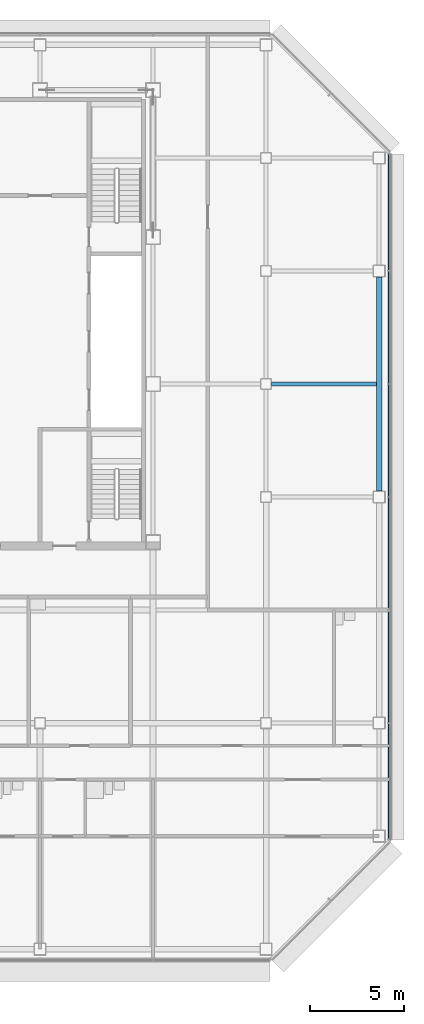
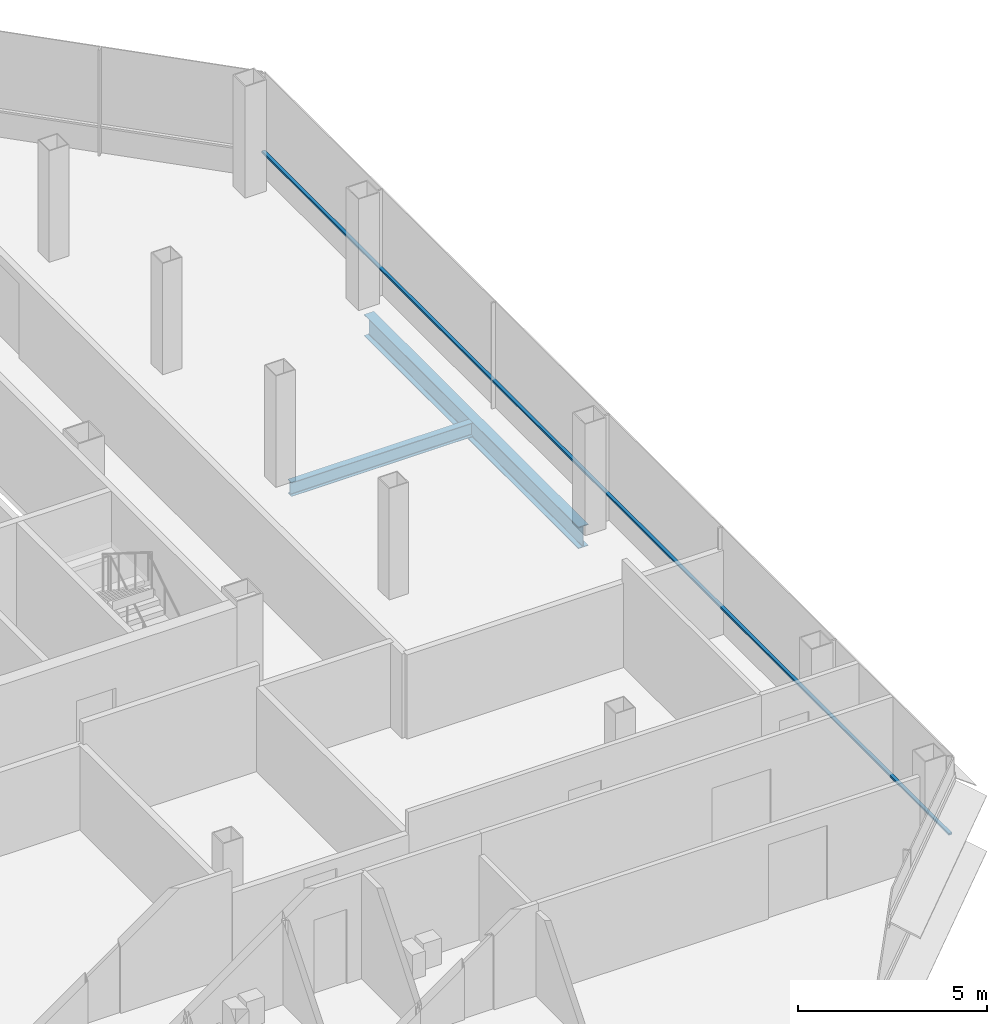
# One storey, part 17 of 27: 2 beams, 1 member, 1 element without a shape of its own.
"""IFC4 building model written with IfcOpenShell, lengths in metres."""

from ifc_helpers import new_model, si_unit, direction, frame, origin, origin_2d, place, context, subcontext, project, spatial, rectangle, i_section, extrude, material, material_profile, profile_set, type_object, element, aggregate, save


model = new_model("IFC4")

# Units and contexts
model_context = context("Model", 3, precision=1e-05, world=origin(), true_north=direction((0.0, 1.0)))
body_context = subcontext(model_context, "Body", "Model", "MODEL_VIEW")
ifc_project = project(units=[si_unit("LENGTHUNIT", "METRE"), si_unit("AREAUNIT", "SQUARE_METRE"), si_unit("VOLUMEUNIT", "CUBIC_METRE"), si_unit("PLANEANGLEUNIT", "RADIAN"), si_unit("MASSUNIT", "GRAM", prefix="KILO")], contexts=[model_context])

# Site, building, storey
site_placement = place(None, origin())
site = spatial("IfcSite", under=ifc_project, at=site_placement, CompositionType="ELEMENT")
building_placement = place(site_placement, origin())
building = spatial("IfcBuilding", under=site, at=building_placement, Name="Sorahane Residences", CompositionType="ELEMENT")
storey_placement = place(building_placement, frame((0.0, 0.0, 239.60009765625)))
storey = spatial("IfcBuildingStorey", under=building, at=storey_placement, Name="L56", CompositionType="ELEMENT", Elevation=239.60009765625)

# Curtain wall, member
ifc_material_1 = material(Name="Dark low-e glass and black anodised aluminium", Category="aluminium")
curtain_wall_type = type_object("IfcCurtainWallType", Name="Curtain wall CW-1 Typical unitised wall", PredefinedType="NOTDEFINED", material=ifc_material_1)
curtain_wall_placement = place(storey_placement, origin())
curtain_wall = element("IfcCurtainWall", 1, at=curtain_wall_placement, inside=storey, type_object=curtain_wall_type, Name="CW-1 curtain wall L56 E1", PredefinedType="NOTDEFINED")
ifc_material_2 = material(Name="Black anodised aluminium", Category="aluminium")
ifc_material_profile_1 = material_profile(ifc_material_2, rectangle(XDim=0.10009765625, YDim=0.06005859375, at=origin_2d()), Name="Curtain wall transom CW-1 black anodised aluminium 60x100")
ifc_profile_set_1 = profile_set([ifc_material_profile_1], Name="Black anodised aluminium")
member_type = type_object("IfcMemberType", Name="Curtain wall transom CW-1 black anodised aluminium 60x100", PredefinedType="USERDEFINED", material=ifc_profile_set_1)
member_placement = place(storey_placement, frame((54.530029296875, 5.801513671875, 0.89990234375), z_axis=(0.0, 1.0, 0.0), x_axis=(-1.0, 0.0, 0.0)))
member = element("IfcMember", 2, at=member_placement, type_object=member_type, Name="CW-1 transom L56 E1", ObjectType="TRANSOM", PredefinedType="USERDEFINED", context=body_context, shape_type="SweptSolid", body=[
    extrude(rectangle(XDim=0.10009765625, YDim=0.06005859375, at=origin_2d()), origin(), (0.0, 0.0, 1.0), 36.39697265625),
])
aggregate(curtain_wall, [member])

# Beams
ifc_material_3 = material(Name="Steel Q355B", Category="steel")
ifc_material_profile_2 = material_profile(ifc_material_3, i_section(OverallWidth=0.199951171875, OverallDepth=0.449951171875, WebThickness=0.009033203125, FlangeThickness=0.013916015625, FilletRadius=0.02001953125, at=origin_2d()), Name="HN 450x200x9x14")
ifc_profile_set_2 = profile_set([ifc_material_profile_2], Name="Steel Q355B")
beam_type_1 = type_object("IfcBeamType", Name="Steel floor beam HN 450x200x9x14 Q355B", PredefinedType="BEAM", material=ifc_profile_set_2)
beam_1_placement = place(storey_placement, frame((48.300048828125, 30.0, -0.405029296875), z_axis=(1.0, 0.0, 0.0), x_axis=(0.0, 1.0, 0.0)))
element("IfcBeam", 3, at=beam_1_placement, inside=storey, type_object=beam_type_1, Name="Beam L56 088", PredefinedType="BEAM", context=body_context, shape_type="SweptSolid", body=[
    extrude(i_section(OverallWidth=0.199951171875, OverallDepth=0.449951171875, WebThickness=0.009033203125, FlangeThickness=0.013916015625, FilletRadius=0.02001953125, at=origin_2d()), origin(), (0.0, 0.0, 1.0), 5.550048828125),
])
ifc_material_4 = material(Name="Steel Q355B", Category="steel")
ifc_material_profile_3 = material_profile(ifc_material_4, i_section(OverallWidth=0.300048828125, OverallDepth=0.699951171875, WebThickness=0.012939453125, FlangeThickness=0.02392578125, FilletRadius=0.028076171875, at=origin_2d()), Name="HN 700x300x13x24")
ifc_profile_set_3 = profile_set([ifc_material_profile_3], Name="Steel Q355B")
beam_type_2 = type_object("IfcBeamType", Name="Steel floor beam HN 700x300x13x24 Q355B", PredefinedType="BEAM", material=ifc_profile_set_3)
beam_2_placement = place(storey_placement, frame((54.0, 24.324951171875, -0.530029296875), z_axis=(0.0, 1.0, 0.0), x_axis=(-1.0, 0.0, 0.0)))
element("IfcBeam", 4, at=beam_2_placement, inside=storey, type_object=beam_type_2, Name="Beam L56 066", PredefinedType="BEAM", context=body_context, shape_type="SweptSolid", body=[
    extrude(i_section(OverallWidth=0.300048828125, OverallDepth=0.699951171875, WebThickness=0.012939453125, FlangeThickness=0.02392578125, FilletRadius=0.028076171875, at=origin_2d()), origin(), (0.0, 0.0, 1.0), 11.35009765625),
])

save(model, "model.ifc")
